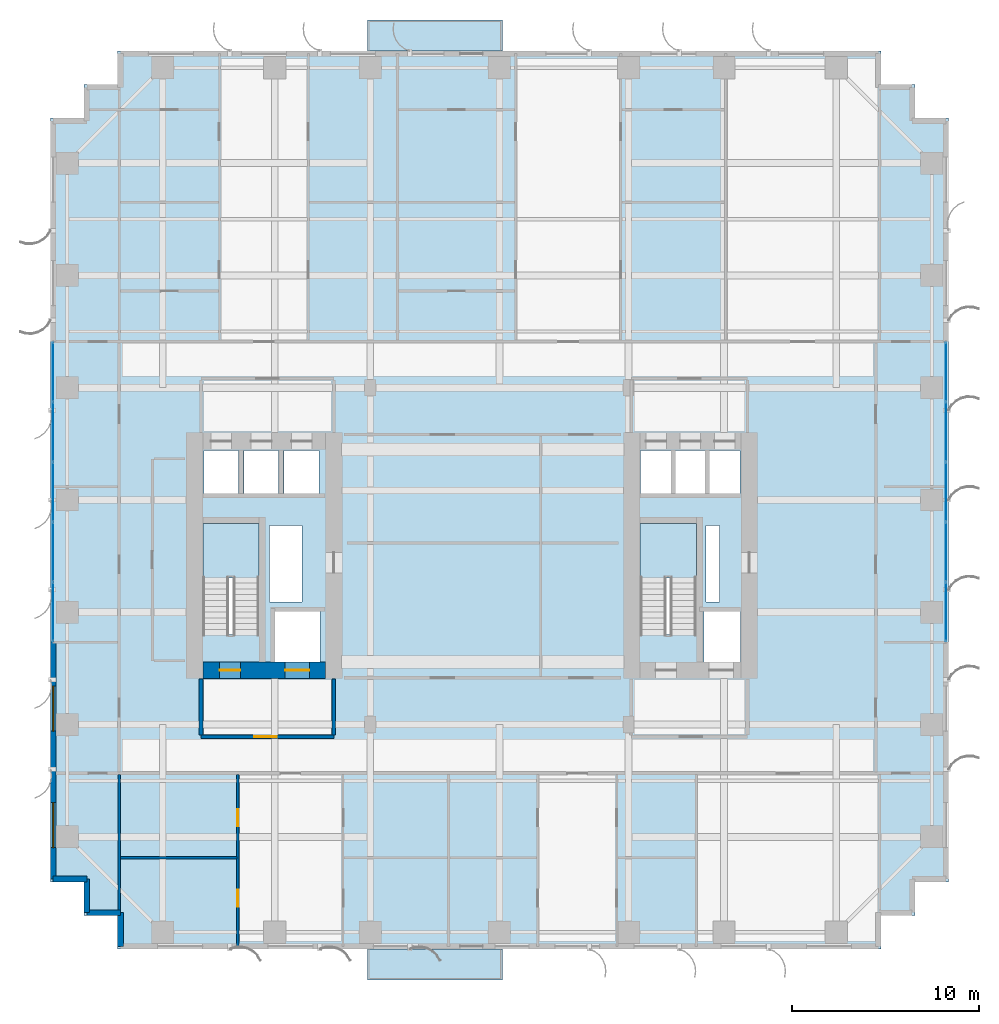
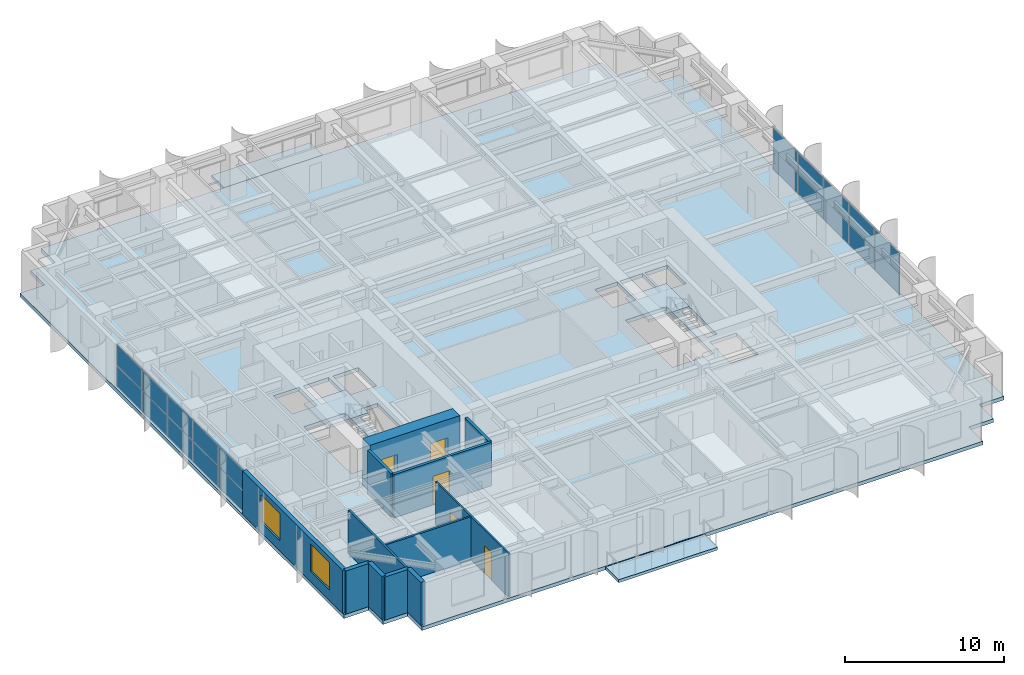
# One storey, part 9 of 18: 20 plates, 12 walls, 5 doors, 5 slabs, 2 windows, 7 openings, 4 elements without a shape of their own.
"""IFC4 building model written with IfcOpenShell, lengths in metres."""

from ifc_helpers import new_model, si_unit, direction, frame, frame_2d, origin, origin_2d, place, context, subcontext, project, spatial, polyline, rectangle, outline, extrude, source, transform, mapped, material, layer, layer_set, type_object, element, fill, aggregate, save


model = new_model("IFC4")

# Units and contexts
model_context = context("Model", 3, precision=1e-05, world=origin(), true_north=direction((0.0, 1.0)))
body_context = subcontext(model_context, "Body", "Model", "MODEL_VIEW")
ifc_project = project(units=[si_unit("LENGTHUNIT", "METRE"), si_unit("AREAUNIT", "SQUARE_METRE"), si_unit("VOLUMEUNIT", "CUBIC_METRE"), si_unit("PLANEANGLEUNIT", "RADIAN"), si_unit("MASSUNIT", "GRAM", prefix="KILO")], contexts=[model_context])

# Site, building, storey
site_placement = place(None, origin())
site = spatial("IfcSite", under=ifc_project, at=site_placement, CompositionType="ELEMENT")
building_placement = place(site_placement, origin())
building = spatial("IfcBuilding", under=site, at=building_placement, Name="Khoralis Quay Care Tower", CompositionType="ELEMENT")
storey_placement = place(building_placement, frame((0.0, 0.0, 47.699951171875)))
storey = spatial("IfcBuildingStorey", under=building, at=storey_placement, Name="L12", CompositionType="ELEMENT", Elevation=47.699951171875)

# Slabs
ifc_material_1 = material(Name="Concrete C45/55", Category="concrete")
ifc_layer_1 = layer(ifc_material_1, 0.219970703125)
ifc_layer_set_1 = layer_set([ifc_layer_1], Name="Concrete C45/55")
slab_type_1 = type_object("IfcSlabType", Name="SLB-EXT-BALC-220", PredefinedType="FLOOR", material=ifc_layer_set_1)
slab_1_placement = place(storey_placement, frame((0.0, 0.0, -0.280029296875)))
element("IfcSlab", 1, at=slab_1_placement, inside=storey, type_object=slab_type_1, Name="L12 Senior Loggia Balcony Slab P1E0", PredefinedType="FLOOR", context=body_context, shape_type="SweptSolid", body=[
    extrude(outline(polyline([(16.949951171875, -1.64990234375), (24.14990234375, -1.64990234375), (24.14990234375, 0.0), (16.949951171875, 0.0), (16.949951171875, -1.64990234375)])), origin(), (0.0, 0.0, 1.0), 0.219970703125),
])
slab_2_placement = place(storey_placement, frame((0.0, 0.0, -0.280029296875)))
element("IfcSlab", 2, at=slab_2_placement, inside=storey, type_object=slab_type_1, Name="L12 Senior Loggia Balcony Slab P1E10", PredefinedType="FLOOR", context=body_context, shape_type="SweptSolid", body=[
    extrude(outline(polyline([(16.949951171875, 48.0), (24.14990234375, 48.0), (24.14990234375, 49.64990234375), (16.949951171875, 49.64990234375), (16.949951171875, 48.0)])), origin(), (0.0, 0.0, 1.0), 0.219970703125),
])

# Stair, slab
ifc_material_2 = material(Name="Precast concrete C45/55", Category="concrete")
stair_type = type_object("IfcStairType", Name="ST-TWR-DOGLEG-1400", PredefinedType="HALF_TURN_STAIR", material=ifc_material_2)
stair_1_placement = place(storey_placement, origin())
stair_1 = element("IfcStair", 3, at=stair_1_placement, inside=storey, type_object=stair_type, Name="L12 West Core Exit Stair ST-T1", PredefinedType="HALF_TURN_STAIR")
ifc_layer_2 = layer(ifc_material_2, 0.199951171875)
ifc_layer_set_2 = layer_set([ifc_layer_2], Name="Precast concrete C45/55")
slab_type_2 = type_object("IfcSlabType", Name="SLB-LANDING-200", PredefinedType="LANDING", material=ifc_layer_set_2)
slab_3_placement = place(storey_placement, frame((0.0, 0.0, 1.60009765625)))
slab_3 = element("IfcSlab", 4, at=slab_3_placement, type_object=slab_type_2, Name="ST-T1 landing 1", PredefinedType="LANDING", context=body_context, shape_type="SweptSolid", body=[
    extrude(outline(polyline([(11.14990234375, 19.840087890625), (11.14990234375, 22.75), (8.14990234375, 22.75), (8.14990234375, 19.840087890625), (11.14990234375, 19.840087890625)])), origin(), (0.0, 0.0, 1.0), 0.199951171875),
])
aggregate(stair_1, [slab_3])

stair_2_placement = place(storey_placement, origin())
stair_2 = element("IfcStair", 5, at=stair_2_placement, inside=storey, type_object=stair_type, Name="L12 East Core Exit Stair ST-T2", PredefinedType="HALF_TURN_STAIR")
slab_4_placement = place(storey_placement, frame((0.0, 0.0, 1.60009765625)))
slab_4 = element("IfcSlab", 6, at=slab_4_placement, type_object=slab_type_2, Name="ST-T2 landing 1", PredefinedType="LANDING", context=body_context, shape_type="SweptSolid", body=[
    extrude(outline(polyline([(34.52001953125, 19.840087890625), (34.52001953125, 22.75), (31.52001953125, 22.75), (31.52001953125, 19.840087890625), (34.52001953125, 19.840087890625)])), origin(), (0.0, 0.0, 1.0), 0.199951171875),
])
aggregate(stair_2, [slab_4])

# Slab
ifc_material_3 = material(Name="Concrete C40/50", Category="concrete")
ifc_layer_3 = layer(ifc_material_3, 0.280029296875)
ifc_layer_set_3 = layer_set([ifc_layer_3], Name="Concrete C40/50")
slab_type_3 = type_object("IfcSlabType", Name="SLB-TWR-280", PredefinedType="FLOOR", material=ifc_layer_set_3)
slab_5_placement = place(storey_placement, frame((0.0, 0.0, -0.280029296875)))
element("IfcSlab", 7, at=slab_5_placement, inside=storey, type_object=slab_type_3, Name="Tower Floor Slab L12", PredefinedType="FLOOR", context=body_context, shape_type="SweptSolid", body=[
    extrude(outline(polyline([(3.60009765625, 0.0), (44.39990234375, 0.0), (44.39990234375, 1.800048828125), (46.199951171875, 1.800048828125), (46.199951171875, 3.60009765625), (48.0, 3.60009765625), (48.0, 44.39990234375), (46.199951171875, 44.39990234375), (46.199951171875, 46.199951171875), (44.39990234375, 46.199951171875), (44.39990234375, 48.0), (3.60009765625, 48.0), (3.60009765625, 46.199951171875), (1.800048828125, 46.199951171875), (1.800048828125, 44.39990234375), (0.0, 44.39990234375), (0.0, 3.60009765625), (1.800048828125, 3.60009765625), (1.800048828125, 1.800048828125), (3.60009765625, 1.800048828125), (3.60009765625, 0.0)]), holes=[polyline([(11.14990234375, 16.800048828125), (11.14990234375, 22.75), (8.14990234375, 22.75), (8.14990234375, 16.800048828125), (11.14990234375, 16.800048828125)]), polyline([(34.52001953125, 16.800048828125), (34.52001953125, 22.75), (31.52001953125, 22.75), (31.52001953125, 16.800048828125), (34.52001953125, 16.800048828125)]), polyline([(12.0, 15.35009765625), (14.39990234375, 15.35009765625), (14.39990234375, 18.050048828125), (12.0, 18.050048828125), (12.0, 15.35009765625)]), polyline([(34.919921875, 15.35009765625), (36.8798828125, 15.35009765625), (36.8798828125, 18.050048828125), (34.919921875, 18.050048828125), (34.919921875, 15.35009765625)]), polyline([(8.199951171875, 24.35009765625), (10.050048828125, 24.35009765625), (10.050048828125, 26.64990234375), (8.199951171875, 26.64990234375), (8.199951171875, 24.35009765625)]), polyline([(31.550048828125, 24.35009765625), (33.199951171875, 24.35009765625), (33.199951171875, 26.64990234375), (31.550048828125, 26.64990234375), (31.550048828125, 24.35009765625)]), polyline([(10.35009765625, 24.35009765625), (12.199951171875, 24.35009765625), (12.199951171875, 26.64990234375), (10.35009765625, 26.64990234375), (10.35009765625, 24.35009765625)]), polyline([(33.3798828125, 24.35009765625), (35.030029296875, 24.35009765625), (35.030029296875, 26.64990234375), (33.3798828125, 26.64990234375), (33.3798828125, 24.35009765625)]), polyline([(12.5, 24.35009765625), (14.35009765625, 24.35009765625), (14.35009765625, 26.64990234375), (12.5, 26.64990234375), (12.5, 24.35009765625)]), polyline([(35.199951171875, 24.35009765625), (36.85009765625, 24.35009765625), (36.85009765625, 26.64990234375), (35.199951171875, 26.64990234375), (35.199951171875, 24.35009765625)]), polyline([(11.719970703125, 18.550048828125), (13.449951171875, 18.550048828125), (13.449951171875, 22.64990234375), (11.719970703125, 22.64990234375), (11.719970703125, 18.550048828125)]), polyline([(35.050048828125, 18.550048828125), (35.75, 18.550048828125), (35.75, 22.64990234375), (35.050048828125, 22.64990234375), (35.050048828125, 18.550048828125)])]), origin(), (0.0, 0.0, 1.0), 0.280029296875),
])

# Curtain wall, plates
ifc_material_4 = material(Name="Pale anodised aluminium", Category="aluminium")
ifc_layer_4 = layer(ifc_material_4, 0.179931640625)
ifc_layer_set_4 = layer_set([ifc_layer_4], Name="Pale anodised aluminium")
curtain_wall_type = type_object("IfcCurtainWallType", Name="CW-SYS-Z1", PredefinedType="NOTDEFINED", material=ifc_layer_set_4)
curtain_wall_1_placement = place(storey_placement, origin())
curtain_wall_1 = element("IfcCurtainWall", 8, at=curtain_wall_1_placement, inside=storey, type_object=curtain_wall_type, Name="L12 Unitised Curtain Wall CW-L12-P1-E5", PredefinedType="NOTDEFINED")
ifc_material_5 = material(Name="Low-E solar-control double glazing", Category="glass")
ifc_layer_5 = layer(ifc_material_5, 0.031982421875)
ifc_layer_set_5 = layer_set([ifc_layer_5], Name="Low-E solar-control double glazing")
plate_type = type_object("IfcPlateType", Name="PNL-VIS-32", PredefinedType="CURTAIN_PANEL", material=ifc_layer_set_5)
shared_shape_1 = source(origin(), body_context, "Body", "SweptSolid", [
    extrude(rectangle(XDim=3.1220703125, YDim=0.028076171875, at=origin_2d()), origin(), (0.0, 0.0, 1.0), 1.570068359375),
])
plate_1_placement = place(storey_placement, frame((47.85009765625, 18.02099609375, 0.06005859375), z_axis=(0.0, 0.0, 1.0), x_axis=(0.0, 1.0, 0.0)))
plate_1 = element("IfcPlate", 9, at=plate_1_placement, type_object=plate_type, Name="CW1 panel 1.1", PredefinedType="CURTAIN_PANEL", context=body_context, shape_type="MappedRepresentation", body=[
    mapped(shared_shape_1, transform((0.0, 0.0, 0.0), scale=1.0)),
])
plate_2_placement = place(storey_placement, frame((47.85009765625, 18.02099609375, 1.68994140625), z_axis=(0.0, 0.0, 1.0), x_axis=(0.0, 1.0, 0.0)))
plate_2 = element("IfcPlate", 10, at=plate_2_placement, type_object=plate_type, Name="CW1 panel 1.2", PredefinedType="CURTAIN_PANEL", context=body_context, shape_type="MappedRepresentation", body=[
    mapped(shared_shape_1, transform((0.0, 0.0, 0.0), scale=1.0)),
])
plate_3_placement = place(storey_placement, frame((47.85009765625, 30.839111328125, 0.06005859375), z_axis=(0.0, 0.0, 1.0), x_axis=(0.0, 1.0, 0.0)))
plate_3 = element("IfcPlate", 11, at=plate_3_placement, type_object=plate_type, Name="CW1 panel 5.1", PredefinedType="CURTAIN_PANEL", context=body_context, shape_type="MappedRepresentation", body=[
    mapped(shared_shape_1, transform((0.0, 0.0, 0.0), scale=1.0)),
])
plate_4_placement = place(storey_placement, frame((47.85009765625, 30.839111328125, 1.68994140625), z_axis=(0.0, 0.0, 1.0), x_axis=(0.0, 1.0, 0.0)))
plate_4 = element("IfcPlate", 12, at=plate_4_placement, type_object=plate_type, Name="CW1 panel 5.2", PredefinedType="CURTAIN_PANEL", context=body_context, shape_type="MappedRepresentation", body=[
    mapped(shared_shape_1, transform((0.0, 0.0, 0.0), scale=1.0)),
])

curtain_wall_2_placement = place(storey_placement, origin())
curtain_wall_2 = element("IfcCurtainWall", 13, at=curtain_wall_2_placement, inside=storey, type_object=curtain_wall_type, Name="L12 Unitised Curtain Wall CW-L12-P1-E15", PredefinedType="NOTDEFINED")
plate_5_placement = place(storey_placement, frame((0.14990234375, 30.839111328125, 0.06005859375), z_axis=(0.0, 0.0, 1.0), x_axis=(0.0, -1.0, 0.0)))
plate_5 = element("IfcPlate", 14, at=plate_5_placement, type_object=plate_type, Name="CW1 panel 1.1", PredefinedType="CURTAIN_PANEL", context=body_context, shape_type="MappedRepresentation", body=[
    mapped(shared_shape_1, transform((0.0, 0.0, 0.0), scale=1.0)),
])
plate_6_placement = place(storey_placement, frame((0.14990234375, 30.839111328125, 1.68994140625), z_axis=(0.0, 0.0, 1.0), x_axis=(0.0, -1.0, 0.0)))
plate_6 = element("IfcPlate", 15, at=plate_6_placement, type_object=plate_type, Name="CW1 panel 1.2", PredefinedType="CURTAIN_PANEL", context=body_context, shape_type="MappedRepresentation", body=[
    mapped(shared_shape_1, transform((0.0, 0.0, 0.0), scale=1.0)),
])
plate_7_placement = place(storey_placement, frame((0.14990234375, 18.02099609375, 0.06005859375), z_axis=(0.0, 0.0, 1.0), x_axis=(0.0, -1.0, 0.0)))
plate_7 = element("IfcPlate", 16, at=plate_7_placement, type_object=plate_type, Name="CW1 panel 5.1", PredefinedType="CURTAIN_PANEL", context=body_context, shape_type="MappedRepresentation", body=[
    mapped(shared_shape_1, transform((0.0, 0.0, 0.0), scale=1.0)),
])
plate_8_placement = place(storey_placement, frame((0.14990234375, 18.02099609375, 1.68994140625), z_axis=(0.0, 0.0, 1.0), x_axis=(0.0, -1.0, 0.0)))
plate_8 = element("IfcPlate", 17, at=plate_8_placement, type_object=plate_type, Name="CW1 panel 5.2", PredefinedType="CURTAIN_PANEL", context=body_context, shape_type="MappedRepresentation", body=[
    mapped(shared_shape_1, transform((0.0, 0.0, 0.0), scale=1.0)),
])

# Plate
shared_shape_2 = source(origin(), body_context, "Body", "SweptSolid", [
    extrude(rectangle(XDim=3.152099609375, YDim=0.028076171875, at=origin_2d()), origin(), (0.0, 0.0, 1.0), 1.570068359375),
])
plate_9_placement = place(storey_placement, frame((47.85009765625, 21.218017578125, 0.06005859375), z_axis=(0.0, 0.0, 1.0), x_axis=(0.0, 1.0, 0.0)))
plate_9 = element("IfcPlate", 18, at=plate_9_placement, type_object=plate_type, Name="CW1 panel 2.1", PredefinedType="CURTAIN_PANEL", context=body_context, shape_type="MappedRepresentation", body=[
    mapped(shared_shape_2, transform((0.0, 0.0, 0.0), scale=1.0)),
])

plate_10_placement = place(storey_placement, frame((47.85009765625, 21.218017578125, 1.68994140625), z_axis=(0.0, 0.0, 1.0), x_axis=(0.0, 1.0, 0.0)))
plate_10 = element("IfcPlate", 19, at=plate_10_placement, type_object=plate_type, Name="CW1 panel 2.2", PredefinedType="CURTAIN_PANEL", context=body_context, shape_type="MappedRepresentation", body=[
    mapped(shared_shape_2, transform((0.0, 0.0, 0.0), scale=1.0)),
])

plate_11_placement = place(storey_placement, frame((47.85009765625, 24.429931640625, 0.06005859375), z_axis=(0.0, 0.0, 1.0), x_axis=(0.0, 1.0, 0.0)))
plate_11 = element("IfcPlate", 20, at=plate_11_placement, type_object=plate_type, Name="CW1 panel 3.1", PredefinedType="CURTAIN_PANEL", context=body_context, shape_type="MappedRepresentation", body=[
    mapped(shared_shape_2, transform((0.0, 0.0, 0.0), scale=1.0)),
])

plate_12_placement = place(storey_placement, frame((47.85009765625, 24.429931640625, 1.68994140625), z_axis=(0.0, 0.0, 1.0), x_axis=(0.0, 1.0, 0.0)))
plate_12 = element("IfcPlate", 21, at=plate_12_placement, type_object=plate_type, Name="CW1 panel 3.2", PredefinedType="CURTAIN_PANEL", context=body_context, shape_type="MappedRepresentation", body=[
    mapped(shared_shape_2, transform((0.0, 0.0, 0.0), scale=1.0)),
])

plate_13_placement = place(storey_placement, frame((47.85009765625, 27.64208984375, 0.06005859375), z_axis=(0.0, 0.0, 1.0), x_axis=(0.0, 1.0, 0.0)))
plate_13 = element("IfcPlate", 22, at=plate_13_placement, type_object=plate_type, Name="CW1 panel 4.1", PredefinedType="CURTAIN_PANEL", context=body_context, shape_type="MappedRepresentation", body=[
    mapped(shared_shape_2, transform((0.0, 0.0, 0.0), scale=1.0)),
])

plate_14_placement = place(storey_placement, frame((47.85009765625, 27.64208984375, 1.68994140625), z_axis=(0.0, 0.0, 1.0), x_axis=(0.0, 1.0, 0.0)))
plate_14 = element("IfcPlate", 23, at=plate_14_placement, type_object=plate_type, Name="CW1 panel 4.2", PredefinedType="CURTAIN_PANEL", context=body_context, shape_type="MappedRepresentation", body=[
    mapped(shared_shape_2, transform((0.0, 0.0, 0.0), scale=1.0)),
])

aggregate(curtain_wall_1, [plate_1, plate_2, plate_9, plate_10, plate_11, plate_12, plate_13, plate_14, plate_3, plate_4])

plate_15_placement = place(storey_placement, frame((0.14990234375, 27.64208984375, 0.06005859375), z_axis=(0.0, 0.0, 1.0), x_axis=(0.0, -1.0, 0.0)))
plate_15 = element("IfcPlate", 24, at=plate_15_placement, type_object=plate_type, Name="CW1 panel 2.1", PredefinedType="CURTAIN_PANEL", context=body_context, shape_type="MappedRepresentation", body=[
    mapped(shared_shape_2, transform((0.0, 0.0, 0.0), scale=1.0)),
])

plate_16_placement = place(storey_placement, frame((0.14990234375, 27.64208984375, 1.68994140625), z_axis=(0.0, 0.0, 1.0), x_axis=(0.0, -1.0, 0.0)))
plate_16 = element("IfcPlate", 25, at=plate_16_placement, type_object=plate_type, Name="CW1 panel 2.2", PredefinedType="CURTAIN_PANEL", context=body_context, shape_type="MappedRepresentation", body=[
    mapped(shared_shape_2, transform((0.0, 0.0, 0.0), scale=1.0)),
])

plate_17_placement = place(storey_placement, frame((0.14990234375, 24.429931640625, 0.06005859375), z_axis=(0.0, 0.0, 1.0), x_axis=(0.0, -1.0, 0.0)))
plate_17 = element("IfcPlate", 26, at=plate_17_placement, type_object=plate_type, Name="CW1 panel 3.1", PredefinedType="CURTAIN_PANEL", context=body_context, shape_type="MappedRepresentation", body=[
    mapped(shared_shape_2, transform((0.0, 0.0, 0.0), scale=1.0)),
])

plate_18_placement = place(storey_placement, frame((0.14990234375, 24.429931640625, 1.68994140625), z_axis=(0.0, 0.0, 1.0), x_axis=(0.0, -1.0, 0.0)))
plate_18 = element("IfcPlate", 27, at=plate_18_placement, type_object=plate_type, Name="CW1 panel 3.2", PredefinedType="CURTAIN_PANEL", context=body_context, shape_type="MappedRepresentation", body=[
    mapped(shared_shape_2, transform((0.0, 0.0, 0.0), scale=1.0)),
])

plate_19_placement = place(storey_placement, frame((0.14990234375, 21.218017578125, 0.06005859375), z_axis=(0.0, 0.0, 1.0), x_axis=(0.0, -1.0, 0.0)))
plate_19 = element("IfcPlate", 28, at=plate_19_placement, type_object=plate_type, Name="CW1 panel 4.1", PredefinedType="CURTAIN_PANEL", context=body_context, shape_type="MappedRepresentation", body=[
    mapped(shared_shape_2, transform((0.0, 0.0, 0.0), scale=1.0)),
])

plate_20_placement = place(storey_placement, frame((0.14990234375, 21.218017578125, 1.68994140625), z_axis=(0.0, 0.0, 1.0), x_axis=(0.0, -1.0, 0.0)))
plate_20 = element("IfcPlate", 29, at=plate_20_placement, type_object=plate_type, Name="CW1 panel 4.2", PredefinedType="CURTAIN_PANEL", context=body_context, shape_type="MappedRepresentation", body=[
    mapped(shared_shape_2, transform((0.0, 0.0, 0.0), scale=1.0)),
])

aggregate(curtain_wall_2, [plate_5, plate_6, plate_15, plate_16, plate_17, plate_18, plate_19, plate_20, plate_7, plate_8])

# Wall, opening, door
ifc_material_6 = material(Name="Gypsum plasterboard on acoustic metal stud")
ifc_layer_6 = layer(ifc_material_6, 0.199951171875)
ifc_layer_set_6 = layer_set([ifc_layer_6], Name="Gypsum plasterboard on acoustic metal stud")
wall_type_1 = type_object("IfcWallType", Name="WL-COMP-200", PredefinedType="PARTITIONING", material=ifc_layer_set_6)
wall_1_placement = place(storey_placement, frame((8.050048828125, 11.35009765625, 0.0), z_axis=(0.0, 0.0, 1.0), x_axis=(1.0, 0.0, 0.0)))
wall_1 = element("IfcWall", 30, at=wall_1_placement, inside=storey, type_object=wall_type_1, Name="L12 West Firefighting Lobby South Wall", PredefinedType="PARTITIONING", context=body_context, shape_type="SweptSolid", body=[
    extrude(rectangle(XDim=7.099853515625, YDim=0.199951171875, at=frame_2d((3.5498046875, 0.0))), origin(), (0.0, 0.0, 1.0), 3.320068359375),
])
opening_1_placement = place(wall_1_placement, frame((2.846435546875, 0.0, 0.0)))
opening_1 = element("IfcOpeningElement", 31, at=opening_1_placement, cuts=wall_1, Name="Opening FD1", PredefinedType="OPENING", context=body_context, shape_type="SweptSolid", body=[
    extrude(rectangle(XDim=1.199951171875, YDim=2.199951171875, at=frame_2d((0.60009765625, 1.10009765625))), frame((0.0, 0.10986328125, 0.0), z_axis=(0.0, -1.0, 0.0), x_axis=(1.0, 0.0, 0.0)), (0.0, 0.0, 1.0), 0.219970703125),
])
ifc_material_7 = material(Name="Fire-rated painted steel", Category="steel")
door_type_1 = type_object("IfcDoorType", Name="DR-FFL-1200X2200", OperationType="NOTDEFINED", PredefinedType="DOOR", material=ifc_material_7)
shared_shape_3 = source(origin(), body_context, "Body", "SweptSolid", [
    extrude(rectangle(XDim=1.199951171875, YDim=2.199951171875, at=frame_2d((0.60009765625, 1.10009765625))), frame((0.0, 0.02490234375, 0.0), z_axis=(0.0, -1.0, 0.0), x_axis=(1.0, 0.0, 0.0)), (0.0, 0.0, 1.0), 0.050048828125),
])
door_1_placement = place(opening_1_placement, origin())
door_1 = element("IfcDoor", 32, at=door_1_placement, inside=storey, type_object=door_type_1, Name="L12 West Firefighting Lobby Fire Door", OperationType="SINGLE_SWING_RIGHT", OverallHeight=2.199951171875, OverallWidth=1.199951171875, PredefinedType="DOOR", context=body_context, shape_type="MappedRepresentation", body=[
    mapped(shared_shape_3, transform((0.0, 0.0, 0.0), scale=1.0)),
])
fill(opening_1, door_1)

# Walls
for number, where, z_axis, x_axis, name in (
    (33, (8.050048828125, 11.445068359375, 0.0), (0.0, 0.0, 1.0), (0.0, 1.0, 0.0), "L12 West Firefighting Lobby West Wall"),
    (34, (15.14990234375, 11.445068359375, 0.0), (0.0, 0.0, 1.0), (0.0, 1.0, 0.0), "L12 West Firefighting Lobby East Wall"),
):
    element("IfcWall", number, at=place(storey_placement, frame(where, z_axis=z_axis, x_axis=x_axis)), inside=storey, type_object=wall_type_1, Name=name, PredefinedType="PARTITIONING", context=body_context, shape_type="SweptSolid", body=[
        extrude(rectangle(XDim=2.98486328125, YDim=0.199951171875, at=frame_2d((1.492431640625, 0.0))), origin(), (0.0, 0.0, 1.0), 3.320068359375),
    ])

# Wall, openings, doors
ifc_material_8 = material(Name="Concrete C80/95", Category="concrete")
ifc_layer_7 = layer(ifc_material_8, 0.89990234375)
ifc_layer_set_7 = layer_set([ifc_layer_7], Name="Concrete C80/95")
wall_type_2 = type_object("IfcWallType", Name="WL-CORE-900", PredefinedType="SHEAR", material=ifc_layer_set_7)
wall_2_placement = place(storey_placement, frame((8.14990234375, 14.89990234375, 0.0), z_axis=(0.0, 0.0, 1.0), x_axis=(1.0, 0.0, 0.0)))
wall_2 = element("IfcWall", 35, at=wall_2_placement, inside=storey, type_object=wall_type_2, Name="L12 WCORE South Shear Wall", PredefinedType="SHEAR", context=body_context, shape_type="SweptSolid", body=[
    extrude(rectangle(XDim=6.550048828125, YDim=0.89990234375, at=frame_2d((3.27490234375, 0.0))), origin(), (0.0, 0.0, 1.0), 3.60009765625),
])
opening_2_placement = place(wall_2_placement, frame((0.89990234375, 0.0, 0.0)))
opening_2 = element("IfcOpeningElement", 36, at=opening_2_placement, cuts=wall_2, Name="Opening SD1", PredefinedType="OPENING", context=body_context, shape_type="SweptSolid", body=[
    extrude(rectangle(XDim=1.10009765625, YDim=2.199951171875, at=frame_2d((0.550048828125, 1.10009765625))), frame((0.0, 0.4599609375, 0.0), z_axis=(0.0, -1.0, 0.0), x_axis=(1.0, 0.0, 0.0)), (0.0, 0.0, 1.0), 0.919921875),
])
opening_3_placement = place(wall_2_placement, frame((4.39990234375, 0.0, 0.0)))
opening_3 = element("IfcOpeningElement", 37, at=opening_3_placement, cuts=wall_2, Name="Opening LD2", PredefinedType="OPENING", context=body_context, shape_type="SweptSolid", body=[
    extrude(rectangle(XDim=1.300048828125, YDim=2.199951171875, at=frame_2d((0.64990234375, 1.10009765625))), frame((0.0, 0.4599609375, 0.0), z_axis=(0.0, -1.0, 0.0), x_axis=(1.0, 0.0, 0.0)), (0.0, 0.0, 1.0), 0.919921875),
])
door_type_2 = type_object("IfcDoorType", Name="DR-STAIR-1100X2200", OperationType="NOTDEFINED", PredefinedType="DOOR", material=ifc_material_7)
shared_shape_4 = source(origin(), body_context, "Body", "SweptSolid", [
    extrude(rectangle(XDim=1.10009765625, YDim=2.199951171875, at=frame_2d((0.550048828125, 1.10009765625))), frame((0.0, 0.02490234375, 0.0), z_axis=(0.0, -1.0, 0.0), x_axis=(1.0, 0.0, 0.0)), (0.0, 0.0, 1.0), 0.050048828125),
])
door_2_placement = place(opening_2_placement, origin())
door_2 = element("IfcDoor", 38, at=door_2_placement, inside=storey, type_object=door_type_2, Name="L12 Stair ST-T1 Fire Door", OperationType="SINGLE_SWING_RIGHT", OverallHeight=2.199951171875, OverallWidth=1.10009765625, PredefinedType="DOOR", context=body_context, shape_type="MappedRepresentation", body=[
    mapped(shared_shape_4, transform((0.0, 0.0, 0.0), scale=1.0)),
])
fill(opening_2, door_2)
ifc_material_9 = material(Name="Brushed stainless steel", Category="steel")
door_type_3 = type_object("IfcDoorType", Name="DR-LIFT-1300X2200", OperationType="SLIDING_TO_RIGHT", PredefinedType="DOOR", material=ifc_material_9)
shared_shape_5 = source(origin(), body_context, "Body", "SweptSolid", [
    extrude(rectangle(XDim=1.300048828125, YDim=2.199951171875, at=frame_2d((0.64990234375, 1.10009765625))), frame((0.0, 0.02490234375, 0.0), z_axis=(0.0, -1.0, 0.0), x_axis=(1.0, 0.0, 0.0)), (0.0, 0.0, 1.0), 0.050048828125),
])
door_3_placement = place(opening_3_placement, origin())
door_3 = element("IfcDoor", 39, at=door_3_placement, inside=storey, type_object=door_type_3, Name="L12 Firefighting Lift FFL-1 Landing Door", OperationType="SLIDING_TO_RIGHT", OverallHeight=2.199951171875, OverallWidth=1.300048828125, PredefinedType="DOOR", context=body_context, shape_type="MappedRepresentation", body=[
    mapped(shared_shape_5, transform((0.0, 0.0, 0.0), scale=1.0)),
])
fill(opening_3, door_3)

# Wall, openings, windows
ifc_layer_8 = layer(ifc_material_2, 0.300048828125)
ifc_layer_set_8 = layer_set([ifc_layer_8], Name="Precast concrete C45/55")
wall_type_3 = type_object("IfcWallType", Name="WL-EXT-REF-300", PredefinedType="SOLIDWALL", material=ifc_layer_set_8)
wall_3_placement = place(storey_placement, frame((0.14990234375, 16.39990234375, 0.0), z_axis=(0.0, 0.0, 1.0), x_axis=(0.0, -1.0, 0.0)))
wall_3 = element("IfcWall", 40, at=wall_3_placement, inside=storey, type_object=wall_type_3, Name="L12 External Facade Wall WL-EXT-L12-P1-E15B", PredefinedType="SOLIDWALL", context=body_context, shape_type="SweptSolid", body=[
    extrude(rectangle(XDim=12.64990234375, YDim=0.300048828125, at=frame_2d((6.324951171875, 0.0))), origin(), (0.0, 0.0, 1.0), 3.320068359375),
])
opening_4_placement = place(wall_3_placement, frame((2.35009765625, 0.0, 0.800048828125)))
opening_4 = element("IfcOpeningElement", 41, at=opening_4_placement, cuts=wall_3, Name="Opening W1", PredefinedType="OPENING", context=body_context, shape_type="SweptSolid", body=[
    extrude(rectangle(XDim=2.39990234375, YDim=2.10009765625, at=frame_2d((1.199951171875, 1.050048828125))), frame((0.0, 0.16015625, 0.0), z_axis=(0.0, -1.0, 0.0), x_axis=(1.0, 0.0, 0.0)), (0.0, 0.0, 1.0), 0.320068359375),
])
opening_5_placement = place(wall_3_placement, frame((8.574951171875, 0.0, 0.800048828125)))
opening_5 = element("IfcOpeningElement", 42, at=opening_5_placement, cuts=wall_3, Name="Opening W1", PredefinedType="OPENING", context=body_context, shape_type="SweptSolid", body=[
    extrude(rectangle(XDim=2.39990234375, YDim=2.10009765625, at=frame_2d((1.199951171875, 1.050048828125))), frame((0.0, 0.16015625, 0.0), z_axis=(0.0, -1.0, 0.0), x_axis=(1.0, 0.0, 0.0)), (0.0, 0.0, 1.0), 0.320068359375),
])
window_type = type_object("IfcWindowType", Name="WN-POD-2400X2100", PartitioningType="SINGLE_PANEL", PredefinedType="WINDOW", material=ifc_material_5)
shared_shape_6 = source(origin(), body_context, "Body", "SweptSolid", [
    extrude(rectangle(XDim=2.39990234375, YDim=2.10009765625, at=frame_2d((1.199951171875, 1.050048828125))), frame((0.0, 0.030029296875, 0.0), z_axis=(0.0, -1.0, 0.0), x_axis=(1.0, 0.0, 0.0)), (0.0, 0.0, 1.0), 0.06005859375),
])
window_1_placement = place(opening_4_placement, origin())
window_1 = element("IfcWindow", 43, at=window_1_placement, inside=storey, type_object=window_type, Name="WN-L12-P1-E15B Facade Window 01", OverallHeight=2.10009765625, OverallWidth=2.39990234375, PartitioningType="SINGLE_PANEL", PredefinedType="WINDOW", context=body_context, shape_type="MappedRepresentation", body=[
    mapped(shared_shape_6, transform((0.0, 0.0, 0.0), scale=1.0)),
])
fill(opening_4, window_1)
window_2_placement = place(opening_5_placement, origin())
window_2 = element("IfcWindow", 44, at=window_2_placement, inside=storey, type_object=window_type, Name="WN-L12-P1-E15B Facade Window 02", OverallHeight=2.10009765625, OverallWidth=2.39990234375, PartitioningType="SINGLE_PANEL", PredefinedType="WINDOW", context=body_context, shape_type="MappedRepresentation", body=[
    mapped(shared_shape_6, transform((0.0, 0.0, 0.0), scale=1.0)),
])
fill(opening_5, window_2)

# Walls
for number, where, z_axis, x_axis, name in (
    (45, (0.14990234375, 3.75, 0.0), (0.0, 0.0, 1.0), (1.0, 0.0, 0.0), "L12 External Facade Wall WL-EXT-L12-P1-C16"),
    (46, (1.949951171875, 3.75, 0.0), (0.0, 0.0, 1.0), (0.0, -1.0, 0.0), "L12 External Facade Wall WL-EXT-L12-P1-C17"),
    (47, (1.949951171875, 1.949951171875, 0.0), (0.0, 0.0, 1.0), (1.0, 0.0, 0.0), "L12 External Facade Wall WL-EXT-L12-P1-C18"),
    (48, (3.75, 1.949951171875, 0.0), (0.0, 0.0, 1.0), (0.0, -1.0, 0.0), "L12 External Facade Wall WL-EXT-L12-P1-C19"),
):
    element("IfcWall", number, at=place(storey_placement, frame(where, z_axis=z_axis, x_axis=x_axis)), inside=storey, type_object=wall_type_3, Name=name, PredefinedType="SOLIDWALL", context=body_context, shape_type="SweptSolid", body=[
        extrude(rectangle(XDim=1.800048828125, YDim=0.300048828125, at=frame_2d((0.89990234375, 0.0))), origin(), (0.0, 0.0, 1.0), 3.320068359375),
    ])

# Wall, openings, doors
ifc_layer_9 = layer(ifc_material_6, 0.114990234375)
ifc_layer_set_9 = layer_set([ifc_layer_9], Name="Gypsum plasterboard on acoustic metal stud")
wall_type_4 = type_object("IfcWallType", Name="WL-PART-115", PredefinedType="PARTITIONING", material=ifc_layer_set_9)
wall_4_placement = place(storey_placement, frame((10.01611328125, 0.14501953125, 0.0), z_axis=(0.0, 0.0, 1.0), x_axis=(0.0, 1.0, 0.0)))
wall_4 = element("IfcWall", 49, at=wall_4_placement, inside=storey, type_object=wall_type_4, Name="L12 2BR 0 Left Wall", PredefinedType="PARTITIONING", context=body_context, shape_type="SweptSolid", body=[
    extrude(rectangle(XDim=9.177490234375, YDim=0.114990234375, at=frame_2d((4.5888671875, 0.0))), origin(), (0.0, 0.0, 1.0), 3.320068359375),
])
opening_6_placement = place(wall_4_placement, frame((2.1240234375, 0.0, 0.0)))
opening_6 = element("IfcOpeningElement", 50, at=opening_6_placement, cuts=wall_4, Name="Opening WD1", PredefinedType="OPENING", context=body_context, shape_type="SweptSolid", body=[
    extrude(rectangle(XDim=0.89990234375, YDim=2.10009765625, at=frame_2d((0.449951171875, 1.050048828125))), frame((0.0, 0.0673828125, 0.0), z_axis=(0.0, -1.0, 0.0), x_axis=(1.0, 0.0, 0.0)), (0.0, 0.0, 1.0), 0.135009765625),
])
opening_7_placement = place(wall_4_placement, frame((6.43408203125, 0.0, 0.0)))
opening_7 = element("IfcOpeningElement", 51, at=opening_7_placement, cuts=wall_4, Name="Opening WD1", PredefinedType="OPENING", context=body_context, shape_type="SweptSolid", body=[
    extrude(rectangle(XDim=0.89990234375, YDim=2.10009765625, at=frame_2d((0.449951171875, 1.050048828125))), frame((0.0, 0.0673828125, 0.0), z_axis=(0.0, -1.0, 0.0), x_axis=(1.0, 0.0, 0.0)), (0.0, 0.0, 1.0), 0.135009765625),
])
ifc_material_10 = material(Name="Acoustic hardwood timber", Category="wood")
door_type_4 = type_object("IfcDoorType", Name="DR-BATH-900X2100", OperationType="NOTDEFINED", PredefinedType="DOOR", material=ifc_material_10)
shared_shape_7 = source(origin(), body_context, "Body", "SweptSolid", [
    extrude(rectangle(XDim=0.89990234375, YDim=2.10009765625, at=frame_2d((0.449951171875, 1.050048828125))), frame((0.0, 0.02490234375, 0.0), z_axis=(0.0, -1.0, 0.0), x_axis=(1.0, 0.0, 0.0)), (0.0, 0.0, 1.0), 0.050048828125),
])
door_4_placement = place(opening_6_placement, origin())
door_4 = element("IfcDoor", 52, at=door_4_placement, inside=storey, type_object=door_type_4, Name="L12 2BR BD1 Door", OperationType="SINGLE_SWING_LEFT", OverallHeight=2.10009765625, OverallWidth=0.89990234375, PredefinedType="DOOR", context=body_context, shape_type="MappedRepresentation", body=[
    mapped(shared_shape_7, transform((0.0, 0.0, 0.0), scale=1.0)),
])
fill(opening_6, door_4)
door_5_placement = place(opening_7_placement, origin())
door_5 = element("IfcDoor", 53, at=door_5_placement, inside=storey, type_object=door_type_4, Name="L12 2BR BTH Door", OperationType="SINGLE_SWING_RIGHT", OverallHeight=2.10009765625, OverallWidth=0.89990234375, PredefinedType="DOOR", context=body_context, shape_type="MappedRepresentation", body=[
    mapped(shared_shape_7, transform((0.0, 0.0, 0.0), scale=1.0)),
])
fill(opening_7, door_5)

# Walls
ifc_material_11 = material(Name="Moisture-resistant gypsum and ceramic tile")
ifc_layer_10 = layer(ifc_material_11, 0.280029296875)
ifc_layer_set_10 = layer_set([ifc_layer_10], Name="Moisture-resistant gypsum and ceramic tile")
wall_type_5 = type_object("IfcWallType", Name="WL-PLUMB-280", PredefinedType="PLUMBINGWALL", material=ifc_layer_set_10)
wall_5_placement = place(storey_placement, frame((3.7451171875, 4.887939453125, 0.0), z_axis=(0.0, 0.0, 1.0), x_axis=(1.0, 0.0, 0.0)))
element("IfcWall", 54, at=wall_5_placement, inside=storey, type_object=wall_type_5, Name="L12 2BR 0 Left Split", PredefinedType="PLUMBINGWALL", context=body_context, shape_type="SweptSolid", body=[
    extrude(rectangle(XDim=6.21826171875, YDim=0.139892578125, at=frame_2d((3.109130859375, 0.0))), origin(), (0.0, 0.0, 1.0), 3.320068359375),
])
ifc_layer_11 = layer(ifc_material_6, 0.139892578125)
ifc_layer_set_11 = layer_set([ifc_layer_11], Name="Gypsum plasterboard on acoustic metal stud")
wall_type_6 = type_object("IfcWallType", Name="WL-UNIT-140", PredefinedType="PARTITIONING", material=ifc_layer_set_11)
wall_6_placement = place(storey_placement, frame((3.679931640625, 1.945068359375, 0.0), z_axis=(0.0, 0.0, 1.0), x_axis=(0.0, 1.0, 0.0)))
element("IfcWall", 55, at=wall_6_placement, inside=storey, type_object=wall_type_6, Name="L12 SB Demising Wall 0", PredefinedType="PARTITIONING", context=body_context, shape_type="SweptSolid", body=[
    extrude(rectangle(XDim=7.37744140625, YDim=0.139892578125, at=frame_2d((3.688720703125, 0.0))), origin(), (0.0, 0.0, 1.0), 3.320068359375),
])

save(model, "model.ifc")
